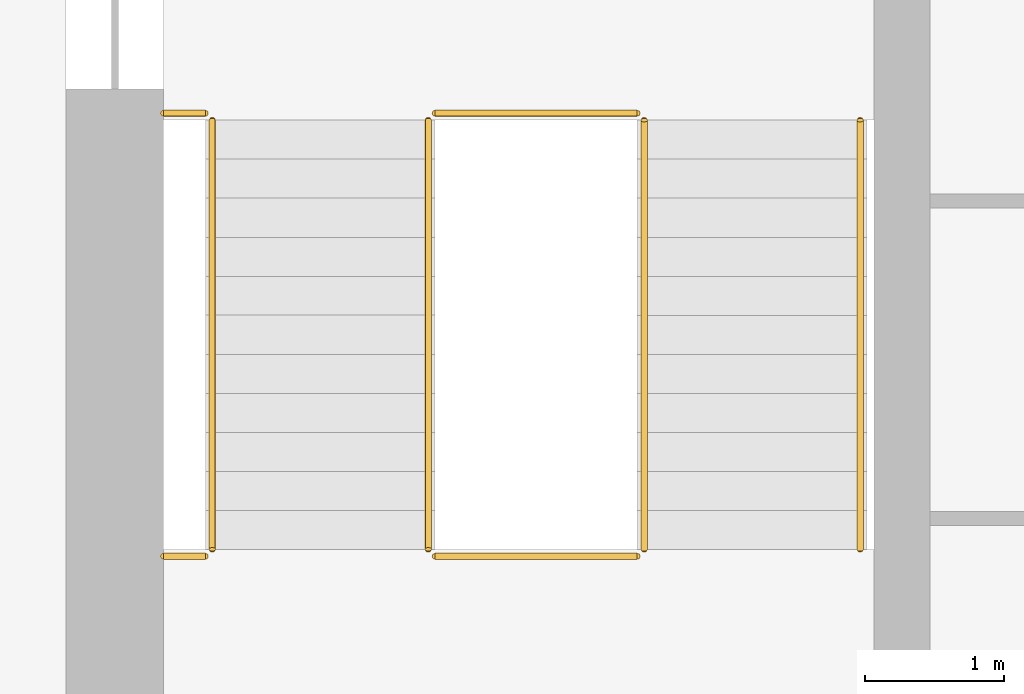
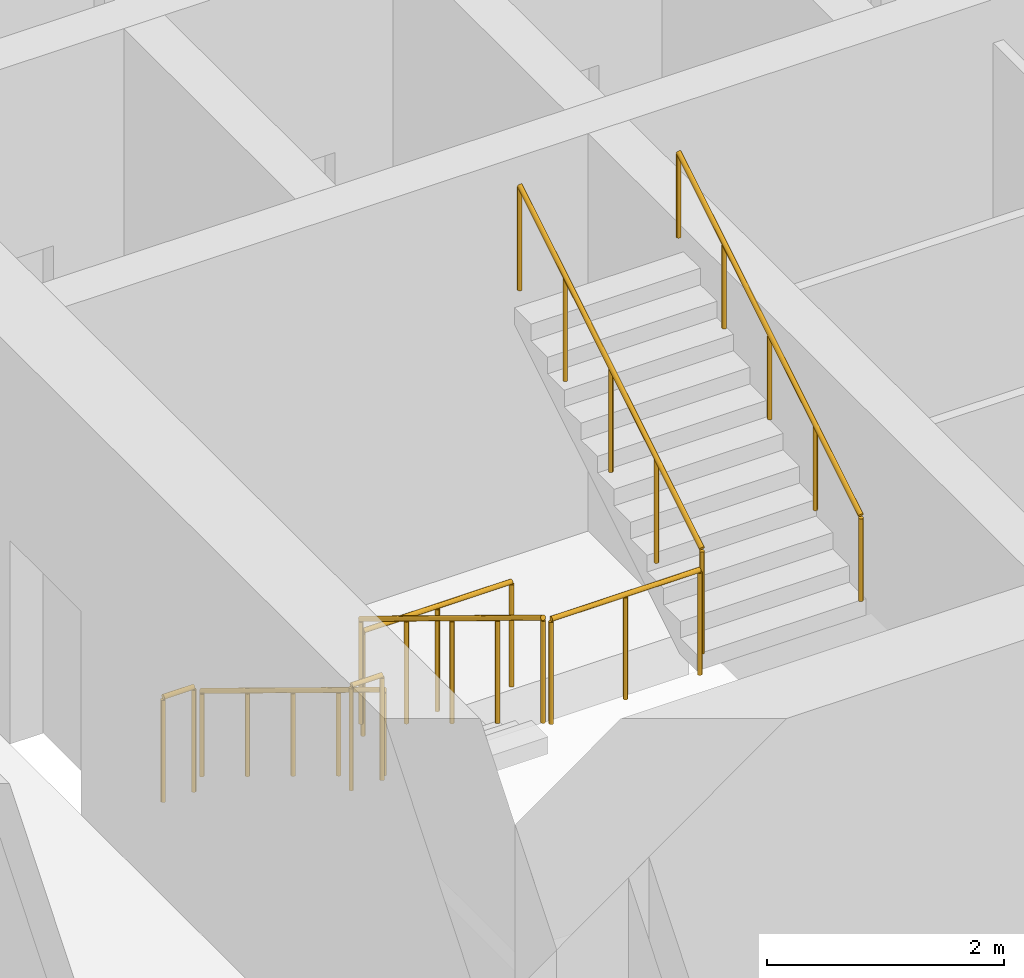
# One storey, part 10 of 17: 8 railings.
"""IFC4 building model written with IfcOpenShell, lengths in metres."""

from ifc_helpers import new_model, si_unit, direction, frame, origin, origin_2d, place, context, subcontext, project, spatial, circle, extrude, material, type_object, element, save


model = new_model("IFC4")

# Units and contexts
model_context = context("Model", 3, precision=1e-05, world=origin(), true_north=direction((0.0, 1.0)))
body_context = subcontext(model_context, "Body", "Model", "MODEL_VIEW")
ifc_project = project(units=[si_unit("LENGTHUNIT", "METRE"), si_unit("AREAUNIT", "SQUARE_METRE"), si_unit("VOLUMEUNIT", "CUBIC_METRE"), si_unit("PLANEANGLEUNIT", "RADIAN"), si_unit("MASSUNIT", "GRAM", prefix="KILO")], contexts=[model_context])

# Site, building, storey
site_placement = place(None, origin())
site = spatial("IfcSite", under=ifc_project, at=site_placement, CompositionType="ELEMENT")
building_placement = place(site_placement, origin())
building = spatial("IfcBuilding", under=site, at=building_placement, Name="Corbel Stack Research Tower", CompositionType="ELEMENT")
storey_placement = place(building_placement, frame((0.0, 0.0, 235.699951171875)))
storey = spatial("IfcBuildingStorey", under=building, at=storey_placement, Name="L53", CompositionType="ELEMENT", Elevation=235.699951171875)

# Railings
ifc_material_1 = material(Name="Steel S355", Category="steel")
railing_type_1 = type_object("IfcRailingType", Name="Stair guard 1100", PredefinedType="GUARDRAIL", material=ifc_material_1)
railing_1_placement = place(storey_placement, frame((-7.89990234375, -2.39990234375, 0.1708984375)))
element("IfcRailing", 1, at=railing_1_placement, inside=storey, type_object=railing_type_1, Name="L53 ST-W1 stair guard 1", PredefinedType="GUARDRAIL", context=body_context, shape_type="SweptSolid", body=[
    extrude(circle(Radius=0.02392578125, at=origin_2d()), frame((0.0, 0.0, 1.076171875), z_axis=(0.0, -0.853666305674, 0.52082035152), x_axis=(1.0, 0.0, 0.0)), (0.0, 0.0, 1.0), 3.608154296875),
    extrude(circle(Radius=0.02099609375, at=origin_2d()), origin(), (0.0, 0.0, 1.0), 1.052001953125),
    extrude(circle(Radius=0.02099609375, at=origin_2d()), frame((0.0, -0.77001953125, 0.4697265625)), (0.0, 0.0, 1.0), 1.052001953125),
    extrude(circle(Radius=0.02099609375, at=origin_2d()), frame((0.0, -1.5400390625, 0.939453125)), (0.0, 0.0, 1.0), 1.052001953125),
    extrude(circle(Radius=0.02099609375, at=origin_2d()), frame((0.0, -2.31005859375, 1.409423828125)), (0.0, 0.0, 1.0), 1.052001953125),
    extrude(circle(Radius=0.02099609375, at=origin_2d()), frame((0.0, -3.080078125, 1.879150390625)), (0.0, 0.0, 1.0), 1.052001953125),
])
railing_2_placement = place(storey_placement, frame((-7.85009765625, -5.530029296875, 2.050048828125)))
element("IfcRailing", 2, at=railing_2_placement, inside=storey, type_object=railing_type_1, Name="L53 ST-W1 stair guard 2", PredefinedType="GUARDRAIL", context=body_context, shape_type="SweptSolid", body=[
    extrude(circle(Radius=0.02392578125, at=origin_2d()), frame((0.0, 0.0, 1.076171875), z_axis=(1.0, 0.0, 0.0), x_axis=(0.0, 1.0, 0.0)), (0.0, 0.0, 1.0), 1.4501953125),
    extrude(circle(Radius=0.02099609375, at=origin_2d()), origin(), (0.0, 0.0, 1.0), 1.052001953125),
    extrude(circle(Radius=0.02099609375, at=origin_2d()), frame((0.72509765625, 0.0, 0.0)), (0.0, 0.0, 1.0), 1.052001953125),
    extrude(circle(Radius=0.02099609375, at=origin_2d()), frame((1.4501953125, 0.0, 0.0)), (0.0, 0.0, 1.0), 1.052001953125),
])
railing_3_placement = place(storey_placement, frame((-9.800048828125, -5.530029296875, 2.050048828125)))
element("IfcRailing", 3, at=railing_3_placement, inside=storey, type_object=railing_type_1, Name="L53 ST-W1 stair guard 3", PredefinedType="GUARDRAIL", context=body_context, shape_type="SweptSolid", body=[
    extrude(circle(Radius=0.02392578125, at=origin_2d()), frame((0.0, 0.0, 1.076171875), z_axis=(1.0, 0.0, 0.0), x_axis=(0.0, 1.0, 0.0)), (0.0, 0.0, 1.0), 0.300048828125),
    extrude(circle(Radius=0.02099609375, at=origin_2d()), origin(), (0.0, 0.0, 1.0), 1.052001953125),
    extrude(circle(Radius=0.02099609375, at=origin_2d()), frame((0.300048828125, 0.0, 0.0)), (0.0, 0.0, 1.0), 1.052001953125),
])
railing_4_placement = place(storey_placement, frame((-6.35009765625, -5.47998046875, 2.220947265625)))
element("IfcRailing", 4, at=railing_4_placement, inside=storey, type_object=railing_type_1, Name="L53 ST-W1 stair guard 4", PredefinedType="GUARDRAIL", context=body_context, shape_type="SweptSolid", body=[
    extrude(circle(Radius=0.02392578125, at=origin_2d()), frame((0.0, 0.0, 1.076171875), z_axis=(0.0, 0.853666305674, 0.52082035152), x_axis=(-1.0, 0.0, 0.0)), (0.0, 0.0, 1.0), 3.608154296875),
    extrude(circle(Radius=0.02099609375, at=origin_2d()), origin(), (0.0, 0.0, 1.0), 1.052001953125),
    extrude(circle(Radius=0.02099609375, at=origin_2d()), frame((0.0, 0.77001953125, 0.4697265625)), (0.0, 0.0, 1.0), 1.052001953125),
    extrude(circle(Radius=0.02099609375, at=origin_2d()), frame((0.0, 1.5400390625, 0.939453125)), (0.0, 0.0, 1.0), 1.052001953125),
    extrude(circle(Radius=0.02099609375, at=origin_2d()), frame((0.0, 2.31005859375, 1.409423828125)), (0.0, 0.0, 1.0), 1.052001953125),
    extrude(circle(Radius=0.02099609375, at=origin_2d()), frame((0.0, 3.080078125, 1.879150390625)), (0.0, 0.0, 1.0), 1.052001953125),
])
railing_5_placement = place(storey_placement, frame((-7.85009765625, -2.35009765625, 0.0)))
element("IfcRailing", 5, at=railing_5_placement, inside=storey, type_object=railing_type_1, Name="L53 ST-W1 stair guard 5", PredefinedType="GUARDRAIL", context=body_context, shape_type="SweptSolid", body=[
    extrude(circle(Radius=0.02392578125, at=origin_2d()), frame((0.0, 0.0, 1.076171875), z_axis=(1.0, 0.0, 0.0), x_axis=(0.0, 1.0, 0.0)), (0.0, 0.0, 1.0), 1.4501953125),
    extrude(circle(Radius=0.02099609375, at=origin_2d()), origin(), (0.0, 0.0, 1.0), 1.052001953125),
    extrude(circle(Radius=0.02099609375, at=origin_2d()), frame((0.72509765625, 0.0, 0.0)), (0.0, 0.0, 1.0), 1.052001953125),
    extrude(circle(Radius=0.02099609375, at=origin_2d()), frame((1.4501953125, 0.0, 0.0)), (0.0, 0.0, 1.0), 1.052001953125),
])
railing_6_placement = place(storey_placement, frame((-9.800048828125, -2.35009765625, 0.0)))
element("IfcRailing", 6, at=railing_6_placement, inside=storey, type_object=railing_type_1, Name="L53 ST-W1 stair guard 6", PredefinedType="GUARDRAIL", context=body_context, shape_type="SweptSolid", body=[
    extrude(circle(Radius=0.02392578125, at=origin_2d()), frame((0.0, 0.0, 1.076171875), z_axis=(1.0, 0.0, 0.0), x_axis=(0.0, 1.0, 0.0)), (0.0, 0.0, 1.0), 0.300048828125),
    extrude(circle(Radius=0.02099609375, at=origin_2d()), origin(), (0.0, 0.0, 1.0), 1.052001953125),
    extrude(circle(Radius=0.02099609375, at=origin_2d()), frame((0.300048828125, 0.0, 0.0)), (0.0, 0.0, 1.0), 1.052001953125),
])
ifc_material_2 = material(Name="Steel S355", Category="steel")
railing_type_2 = type_object("IfcRailingType", Name="Stair handrail 900", PredefinedType="HANDRAIL", material=ifc_material_2)
railing_7_placement = place(storey_placement, frame((-9.449951171875, -2.39990234375, 0.1708984375)))
element("IfcRailing", 7, at=railing_7_placement, inside=storey, type_object=railing_type_2, Name="L53 ST-W1 stair handrail 1", PredefinedType="HANDRAIL", context=body_context, shape_type="SweptSolid", body=[
    extrude(circle(Radius=0.02392578125, at=origin_2d()), frame((0.0, 0.0, 0.8759765625), z_axis=(0.0, -0.853666305674, 0.52082035152), x_axis=(1.0, 0.0, 0.0)), (0.0, 0.0, 1.0), 3.608154296875),
    extrude(circle(Radius=0.02099609375, at=origin_2d()), origin(), (0.0, 0.0, 1.0), 0.851806640625),
    extrude(circle(Radius=0.02099609375, at=origin_2d()), frame((0.0, -0.77001953125, 0.4697265625)), (0.0, 0.0, 1.0), 0.851806640625),
    extrude(circle(Radius=0.02099609375, at=origin_2d()), frame((0.0, -1.5400390625, 0.939453125)), (0.0, 0.0, 1.0), 0.851806640625),
    extrude(circle(Radius=0.02099609375, at=origin_2d()), frame((0.0, -2.31005859375, 1.409423828125)), (0.0, 0.0, 1.0), 0.851806640625),
    extrude(circle(Radius=0.02099609375, at=origin_2d()), frame((0.0, -3.080078125, 1.879150390625)), (0.0, 0.0, 1.0), 0.851806640625),
])
railing_8_placement = place(storey_placement, frame((-4.800048828125, -5.47998046875, 2.220947265625)))
element("IfcRailing", 8, at=railing_8_placement, inside=storey, type_object=railing_type_2, Name="L53 ST-W1 stair handrail 2", PredefinedType="HANDRAIL", context=body_context, shape_type="SweptSolid", body=[
    extrude(circle(Radius=0.02392578125, at=origin_2d()), frame((0.0, 0.0, 0.8759765625), z_axis=(0.0, 0.853666305674, 0.52082035152), x_axis=(-1.0, 0.0, 0.0)), (0.0, 0.0, 1.0), 3.608154296875),
    extrude(circle(Radius=0.02099609375, at=origin_2d()), origin(), (0.0, 0.0, 1.0), 0.851806640625),
    extrude(circle(Radius=0.02099609375, at=origin_2d()), frame((0.0, 0.77001953125, 0.4697265625)), (0.0, 0.0, 1.0), 0.851806640625),
    extrude(circle(Radius=0.02099609375, at=origin_2d()), frame((0.0, 1.5400390625, 0.939453125)), (0.0, 0.0, 1.0), 0.851806640625),
    extrude(circle(Radius=0.02099609375, at=origin_2d()), frame((0.0, 2.31005859375, 1.409423828125)), (0.0, 0.0, 1.0), 0.851806640625),
    extrude(circle(Radius=0.02099609375, at=origin_2d()), frame((0.0, 3.080078125, 1.879150390625)), (0.0, 0.0, 1.0), 0.851806640625),
])

save(model, "model.ifc")
